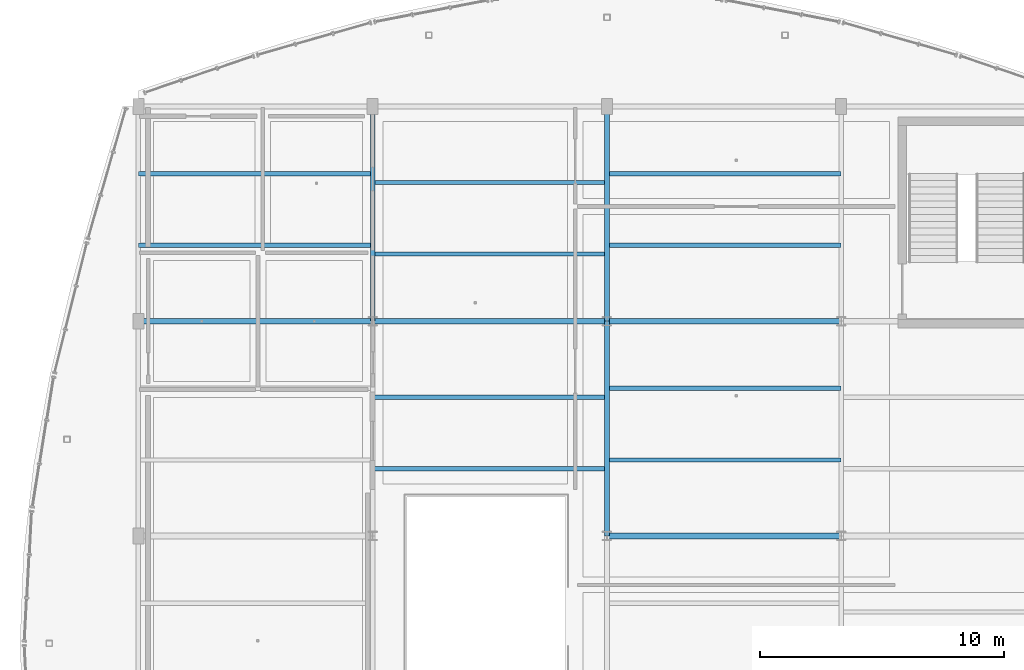
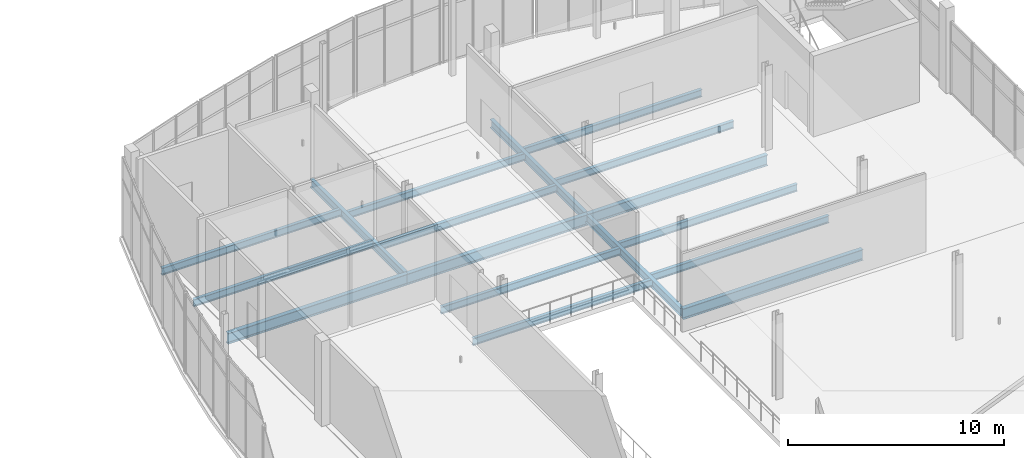
# One storey, part 36 of 157: 17 beams.
"""IFC4 building model written with IfcOpenShell, lengths in metres."""

from ifc_helpers import new_model, si_unit, direction, frame, origin, origin_2d, place, context, subcontext, project, spatial, i_section, extrude, material, material_profile, profile_set, type_object, element, save


model = new_model("IFC4")

# Units and contexts
model_context = context("Model", 3, precision=1e-05, world=origin(), true_north=direction((0.0, 1.0)))
body_context = subcontext(model_context, "Body", "Model", "MODEL_VIEW")
ifc_project = project(units=[si_unit("LENGTHUNIT", "METRE"), si_unit("AREAUNIT", "SQUARE_METRE"), si_unit("VOLUMEUNIT", "CUBIC_METRE"), si_unit("PLANEANGLEUNIT", "RADIAN"), si_unit("MASSUNIT", "GRAM", prefix="KILO")], contexts=[model_context])

# Site, building, storey
site_placement = place(None, origin())
site = spatial("IfcSite", under=ifc_project, at=site_placement, CompositionType="ELEMENT")
building_placement = place(site_placement, origin())
building = spatial("IfcBuilding", under=site, at=building_placement, Name="Chalmorin Arch Market", CompositionType="ELEMENT")
storey_placement = place(building_placement, frame((0.0, 0.0, 4.800048828125)))
storey = spatial("IfcBuildingStorey", under=building, at=storey_placement, Name="L01", CompositionType="ELEMENT", Elevation=4.800048828125)

# Beams
ifc_material = material(Name="Steel A992 Grade 50", Category="steel")
ifc_material_profile_1 = material_profile(ifc_material, i_section(OverallWidth=0.193115234375, OverallDepth=0.466064453125, WebThickness=0.011474609375, FlangeThickness=0.01904296875, FilletRadius=0.02001953125, at=origin_2d()), Name="W18X65")
ifc_profile_set_1 = profile_set([ifc_material_profile_1], Name="Steel A992 Grade 50")
beam_type_1 = type_object("IfcBeamType", Name="FloorSteelBeam-W18X65", PredefinedType="BEAM", material=ifc_profile_set_1)
for number, where, z_axis, x_axis, name in (
    (1, (9.60009765625, 41.199951171875, -0.51513671875), (0.0, 1.0, 0.0), (-1.0, 0.0, 0.0), "BM-W18A-0813"),
    (2, (19.199951171875, 32.39990234375, -0.51513671875), (0.0, 1.0, 0.0), (-1.0, 0.0, 0.0), "BM-W18A-0820"),
    (3, (19.199951171875, 41.199951171875, -0.51513671875), (0.0, 1.0, 0.0), (-1.0, 0.0, 0.0), "BM-W18A-0822"),
):
    element("IfcBeam", number, at=place(storey_placement, frame(where, z_axis=z_axis, x_axis=x_axis)), inside=storey, type_object=beam_type_1, Name=name, PredefinedType="BEAM", context=body_context, shape_type="SweptSolid", body=[
        extrude(i_section(OverallWidth=0.193115234375, OverallDepth=0.466064453125, WebThickness=0.011474609375, FlangeThickness=0.01904296875, FilletRadius=0.02001953125, at=origin_2d()), origin(), (0.0, 0.0, 1.0), 8.800048828125),
    ])
ifc_material_profile_2 = material_profile(ifc_material, i_section(OverallWidth=0.22802734375, OverallDepth=0.60791015625, WebThickness=0.01123046875, FlangeThickness=0.017333984375, FilletRadius=0.02392578125, at=origin_2d()), Name="W24X76")
ifc_profile_set_2 = profile_set([ifc_material_profile_2], Name="Steel A992 Grade 50")
beam_type_2 = type_object("IfcBeamType", Name="PrimarySteelGirder-W24X76", PredefinedType="BEAM", material=ifc_profile_set_2)
beam_1_placement = place(storey_placement, frame((0.0, 41.199951171875, -0.5859375), z_axis=(1.0, 0.0, 0.0), x_axis=(0.0, 1.0, 0.0)))
element("IfcBeam", 4, at=beam_1_placement, inside=storey, type_object=beam_type_2, Name="BG-W24B-0808", PredefinedType="BEAM", context=body_context, shape_type="SweptSolid", body=[
    extrude(i_section(OverallWidth=0.22802734375, OverallDepth=0.60791015625, WebThickness=0.01123046875, FlangeThickness=0.017333984375, FilletRadius=0.02392578125, at=origin_2d()), origin(), (0.0, 0.0, 1.0), 9.60009765625),
])
beam_2_placement = place(storey_placement, frame((9.60009765625, 41.199951171875, -0.5859375), z_axis=(1.0, 0.0, 0.0), x_axis=(0.0, 1.0, 0.0)))
element("IfcBeam", 5, at=beam_2_placement, inside=storey, type_object=beam_type_2, Name="BG-W24B-0819", PredefinedType="BEAM", context=body_context, shape_type="SweptSolid", body=[
    extrude(i_section(OverallWidth=0.22802734375, OverallDepth=0.60791015625, WebThickness=0.01123046875, FlangeThickness=0.017333984375, FilletRadius=0.02392578125, at=origin_2d()), origin(), (0.0, 0.0, 1.0), 9.599853515625),
])
for number, where, z_axis, x_axis, name in (
    (6, (19.199951171875, 32.39990234375, -0.5859375), (1.0, 0.0, 0.0), (0.0, 1.0, 0.0), "BG-W24B-0828"),
    (7, (19.199951171875, 41.199951171875, -0.5859375), (1.0, 0.0, 0.0), (0.0, 1.0, 0.0), "BG-W24B-0830"),
):
    element("IfcBeam", number, at=place(storey_placement, frame(where, z_axis=z_axis, x_axis=x_axis)), inside=storey, type_object=beam_type_2, Name=name, PredefinedType="BEAM", context=body_context, shape_type="SweptSolid", body=[
        extrude(i_section(OverallWidth=0.22802734375, OverallDepth=0.60791015625, WebThickness=0.01123046875, FlangeThickness=0.017333984375, FilletRadius=0.02392578125, at=origin_2d()), origin(), (0.0, 0.0, 1.0), 9.60009765625),
    ])
ifc_material_profile_3 = material_profile(ifc_material, i_section(OverallWidth=0.177978515625, OverallDepth=0.403076171875, WebThickness=0.007568359375, FlangeThickness=0.010986328125, FilletRadius=0.01806640625, at=origin_2d()), Name="W16X36")
ifc_profile_set_3 = profile_set([ifc_material_profile_3], Name="Steel A992 Grade 50")
beam_type_3 = type_object("IfcBeamType", Name="SecondaryFloorJoist-W16X36", PredefinedType="JOIST", material=ifc_profile_set_3)
for number, where, z_axis, x_axis, name in (
    (8, (0.0, 44.313232421875, -0.483642578125), (1.0, 0.0, 0.0), (0.0, 1.0, 0.0), "BJ-W16B-0851"),
    (9, (0.0, 47.24658203125, -0.483642578125), (1.0, 0.0, 0.0), (0.0, 1.0, 0.0), "BJ-W16B-0852"),
):
    element("IfcBeam", number, at=place(storey_placement, frame(where, z_axis=z_axis, x_axis=x_axis)), inside=storey, type_object=beam_type_3, Name=name, PredefinedType="JOIST", context=body_context, shape_type="SweptSolid", body=[
        extrude(i_section(OverallWidth=0.177978515625, OverallDepth=0.403076171875, WebThickness=0.007568359375, FlangeThickness=0.010986328125, FilletRadius=0.01806640625, at=origin_2d()), origin(), (0.0, 0.0, 1.0), 9.60009765625),
    ])
for number, where, z_axis, x_axis, name in (
    (10, (9.60009765625, 35.1533203125, -0.483642578125), (1.0, 0.0, 0.0), (0.0, 1.0, 0.0), "BJ-W16B-0856"),
    (11, (9.60009765625, 38.086669921875, -0.483642578125), (1.0, 0.0, 0.0), (0.0, 1.0, 0.0), "BJ-W16B-0857"),
    (12, (9.60009765625, 43.953369140625, -0.483642578125), (1.0, 0.0, 0.0), (0.0, 1.0, 0.0), "BJ-W16B-0858"),
    (13, (9.60009765625, 46.88671875, -0.483642578125), (1.0, 0.0, 0.0), (0.0, 1.0, 0.0), "BJ-W16B-0859"),
):
    element("IfcBeam", number, at=place(storey_placement, frame(where, z_axis=z_axis, x_axis=x_axis)), inside=storey, type_object=beam_type_3, Name=name, PredefinedType="JOIST", context=body_context, shape_type="SweptSolid", body=[
        extrude(i_section(OverallWidth=0.177978515625, OverallDepth=0.403076171875, WebThickness=0.007568359375, FlangeThickness=0.010986328125, FilletRadius=0.01806640625, at=origin_2d()), origin(), (0.0, 0.0, 1.0), 9.599853515625),
    ])
for number, where, z_axis, x_axis, name in (
    (14, (19.199951171875, 35.51318359375, -0.483642578125), (1.0, 0.0, 0.0), (0.0, 1.0, 0.0), "BJ-W16B-0866"),
    (15, (19.199951171875, 38.44677734375, -0.483642578125), (1.0, 0.0, 0.0), (0.0, 1.0, 0.0), "BJ-W16B-0867"),
    (16, (19.199951171875, 44.313232421875, -0.483642578125), (1.0, 0.0, 0.0), (0.0, 1.0, 0.0), "BJ-W16B-0868"),
    (17, (19.199951171875, 47.24658203125, -0.483642578125), (1.0, 0.0, 0.0), (0.0, 1.0, 0.0), "BJ-W16B-0869"),
):
    element("IfcBeam", number, at=place(storey_placement, frame(where, z_axis=z_axis, x_axis=x_axis)), inside=storey, type_object=beam_type_3, Name=name, PredefinedType="JOIST", context=body_context, shape_type="SweptSolid", body=[
        extrude(i_section(OverallWidth=0.177978515625, OverallDepth=0.403076171875, WebThickness=0.007568359375, FlangeThickness=0.010986328125, FilletRadius=0.01806640625, at=origin_2d()), origin(), (0.0, 0.0, 1.0), 9.60009765625),
    ])

save(model, "model.ifc")
